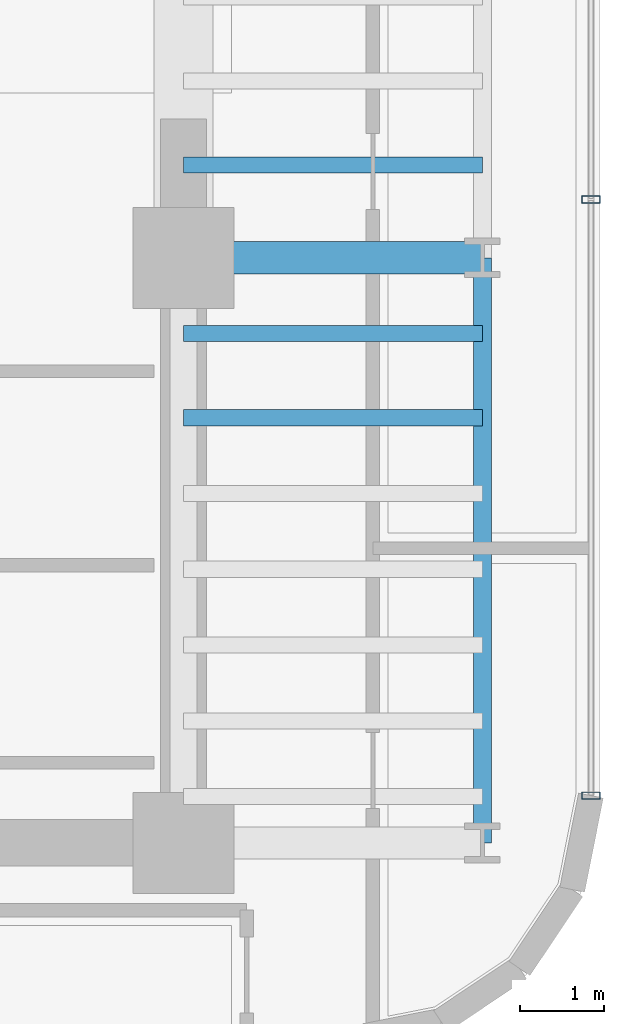
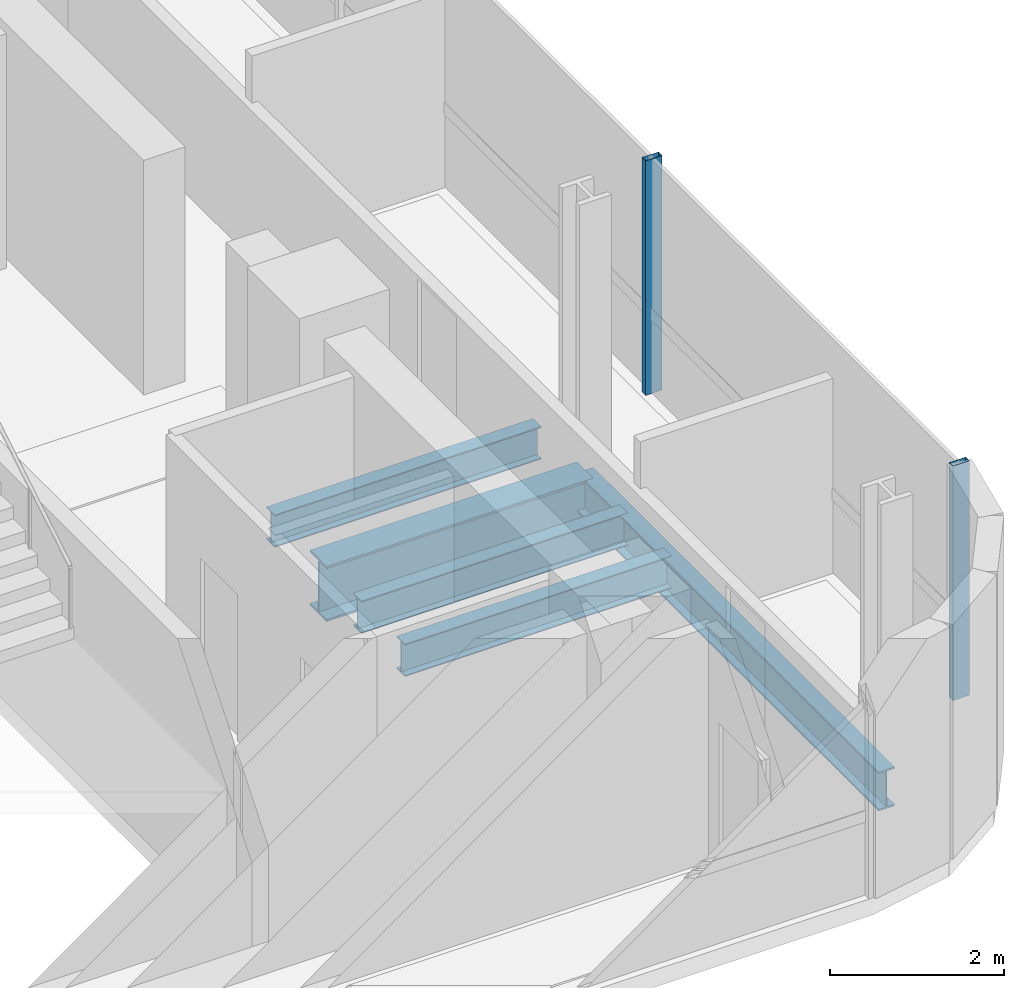
# One storey, part 14 of 35: 5 beams, 2 members, 1 element without a shape of its own.
"""IFC4 building model written with IfcOpenShell, lengths in metres."""

from ifc_helpers import new_model, si_unit, direction, frame, origin, origin_2d, place, context, subcontext, project, spatial, hollow_rectangle, i_section, extrude, source, transform, mapped, material, material_profile, profile_set, type_object, element, aggregate, save


model = new_model("IFC4")

# Units and contexts
model_context = context("Model", 3, precision=1e-05, world=origin(), true_north=direction((0.0, 1.0)))
body_context = subcontext(model_context, "Body", "Model", "MODEL_VIEW")
ifc_project = project(units=[si_unit("LENGTHUNIT", "METRE"), si_unit("AREAUNIT", "SQUARE_METRE"), si_unit("VOLUMEUNIT", "CUBIC_METRE"), si_unit("PLANEANGLEUNIT", "RADIAN"), si_unit("MASSUNIT", "GRAM", prefix="KILO")], contexts=[model_context])

# Site, building, storey
site_placement = place(None, origin())
site = spatial("IfcSite", under=ifc_project, at=site_placement, CompositionType="ELEMENT")
building_placement = place(site_placement, origin())
building = spatial("IfcBuilding", under=site, at=building_placement, Name="Valdorenza Pilgrim Sanctuary Tower", CompositionType="ELEMENT")
storey_placement = place(building_placement, frame((0.0, 0.0, 168.60009765625)))
storey = spatial("IfcBuildingStorey", under=building, at=storey_placement, Name="L43", CompositionType="ELEMENT", Elevation=168.60009765625)

# Beams
ifc_material_1 = material(Name="Steel ASTM A992 Grade 50", Category="steel")
ifc_material_profile_1 = material_profile(ifc_material_1, i_section(OverallWidth=0.214111328125, OverallDepth=0.549072265625, WebThickness=0.0146484375, FlangeThickness=0.023681640625, at=origin_2d()), Name="W21X93")
ifc_profile_set_1 = profile_set([ifc_material_profile_1], Name="Steel ASTM A992 Grade 50")
beam_type_1 = type_object("IfcBeamType", Name="STR-BM-SPN-W21A", PredefinedType="SPANDREL", material=ifc_profile_set_1)
shared_shape_1 = source(origin(), body_context, "Body", "SweptSolid", [
    extrude(i_section(OverallWidth=0.214111328125, OverallDepth=0.549072265625, WebThickness=0.0146484375, FlangeThickness=0.023681640625, at=origin_2d()), origin(), (0.0, 0.0, 1.0), 6.949951171875),
])
beam_1_placement = place(storey_placement, frame((28.39990234375, -9.550048828125, -0.5146484375), z_axis=(0.0, 1.0, 0.0), x_axis=(-1.0, 0.0, 0.0)))
element("IfcBeam", 1, at=beam_1_placement, inside=storey, type_object=beam_type_1, Name="L43 Spandrel Beam WB-E-S1M0", PredefinedType="SPANDREL", context=body_context, shape_type="MappedRepresentation", body=[
    mapped(shared_shape_1, transform((0.0, 0.0, 0.0), x_axis=(1.0, 0.0, 0.0), y_axis=(0.0, 1.0, 0.0), z_axis=(0.0, 0.0, 1.0), scale=1.0)),
])
ifc_material_profile_2 = material_profile(ifc_material_1, i_section(OverallWidth=0.382080078125, OverallDepth=0.779052734375, WebThickness=0.01806640625, FlangeThickness=0.030029296875, at=origin_2d()), Name="W30X191")
ifc_profile_set_2 = profile_set([ifc_material_profile_2], Name="Steel ASTM A992 Grade 50")
beam_type_2 = type_object("IfcBeamType", Name="STR-BM-GRD-W30", PredefinedType="BEAM", material=ifc_profile_set_2)
shared_shape_2 = source(origin(), body_context, "Body", "SweptSolid", [
    extrude(i_section(OverallWidth=0.382080078125, OverallDepth=0.779052734375, WebThickness=0.01806640625, FlangeThickness=0.030029296875, at=origin_2d()), origin(), (0.0, 0.0, 1.0), 3.5498046875),
])
beam_2_placement = place(storey_placement, frame((24.85009765625, -2.60009765625, -0.629638671875), z_axis=(1.0, 0.0, 0.0), x_axis=(0.0, 1.0, 0.0)))
element("IfcBeam", 2, at=beam_2_placement, inside=storey, type_object=beam_type_2, Name="L43 Floor Girder WB-XE-M0", PredefinedType="BEAM", context=body_context, shape_type="MappedRepresentation", body=[
    mapped(shared_shape_2, transform((0.0, 0.0, 0.0), x_axis=(1.0, 0.0, 0.0), y_axis=(0.0, 1.0, 0.0), z_axis=(0.0, 0.0, 1.0), scale=1.0)),
])
ifc_material_profile_3 = material_profile(ifc_material_1, i_section(OverallWidth=0.19091796875, OverallDepth=0.45703125, WebThickness=0.009033203125, FlangeThickness=0.014404296875, at=origin_2d()), Name="W18X50")
ifc_profile_set_3 = profile_set([ifc_material_profile_3], Name="Steel ASTM A992 Grade 50")
beam_type_3 = type_object("IfcBeamType", Name="STR-BM-JST-W18B", PredefinedType="JOIST", material=ifc_profile_set_3)
shared_shape_3 = source(origin(), body_context, "Body", "SweptSolid", [
    extrude(i_section(OverallWidth=0.19091796875, OverallDepth=0.45703125, WebThickness=0.009033203125, FlangeThickness=0.014404296875, at=origin_2d()), origin(), (0.0, 0.0, 1.0), 3.5498046875),
])
for number, where, z_axis, x_axis, name in (
    (3, (24.85009765625, -4.5, -0.468505859375), (1.0, 0.0, 0.0), (0.0, 1.0, 0.0), "L43 Composite Floor Joist JST-WB-6"),
    (4, (24.85009765625, -3.5, -0.468505859375), (1.0, 0.0, 0.0), (0.0, 1.0, 0.0), "L43 Composite Floor Joist JST-WB-7"),
    (5, (24.85009765625, -1.5, -0.468505859375), (1.0, 0.0, 0.0), (0.0, 1.0, 0.0), "L43 Composite Floor Joist JST-WB-8"),
):
    element("IfcBeam", number, at=place(storey_placement, frame(where, z_axis=z_axis, x_axis=x_axis)), inside=storey, type_object=beam_type_3, Name=name, PredefinedType="JOIST", context=body_context, shape_type="MappedRepresentation", body=[
        mapped(shared_shape_3, transform((0.0, 0.0, 0.0), x_axis=(1.0, 0.0, 0.0), y_axis=(0.0, 1.0, 0.0), z_axis=(0.0, 0.0, 1.0), scale=1.0)),
    ])

# Curtain wall, members
ifc_material_2 = material(Name="Curtain-wall IGU glazing", Category="glass")
curtain_wall_type = type_object("IfcCurtainWallType", Name="CW-SYS-03", PredefinedType="NOTDEFINED", material=ifc_material_2)
curtain_wall_placement = place(storey_placement, origin())
curtain_wall = element("IfcCurtainWall", 6, at=curtain_wall_placement, inside=storey, type_object=curtain_wall_type, Name="L43 Curtain Wall CW-L43-2-11", PredefinedType="NOTDEFINED")
ifc_material_3 = material(Name="Anodised aluminium AW-6060", Category="aluminium")
ifc_material_profile_4 = material_profile(ifc_material_3, hollow_rectangle(XDim=0.0849609375, YDim=0.219970703125, WallThickness=0.0048828125, at=origin_2d()), Name="ALU-M 220x85x5")
ifc_profile_set_4 = profile_set([ifc_material_profile_4], Name="Anodised aluminium AW-6060")
member_type = type_object("IfcMemberType", Name="CW-MUL-03", PredefinedType="MULLION", material=ifc_profile_set_4)
shared_shape_4 = source(origin(), body_context, "Body", "SweptSolid", [
    extrude(hollow_rectangle(XDim=0.0849609375, YDim=0.219970703125, WallThickness=0.0048828125, at=origin_2d()), origin(), (0.0, 0.0, 1.0), 3.2998046875),
])
member_1_placement = place(storey_placement, frame((29.68994140625, -1.908447265625, 0.0), z_axis=(0.0, 0.0, 1.0), x_axis=(0.0, -1.0, 0.0)))
member_1 = element("IfcMember", 7, at=member_1_placement, type_object=member_type, Name="CW-L43-2-11 Mullion 3", PredefinedType="MULLION", context=body_context, shape_type="MappedRepresentation", body=[
    mapped(shared_shape_4, transform((0.0, 0.0, 0.0), x_axis=(1.0, 0.0, 0.0), y_axis=(0.0, 1.0, 0.0), z_axis=(0.0, 0.0, 1.0), scale=1.0)),
])
member_2_placement = place(storey_placement, frame((29.68994140625, -8.9892578125, 0.0), z_axis=(0.0, 0.0, 1.0), x_axis=(0.0, -1.0, 0.0)))
member_2 = element("IfcMember", 8, at=member_2_placement, type_object=member_type, Name="CW-L43-2-11 Mullion 4", PredefinedType="MULLION", context=body_context, shape_type="MappedRepresentation", body=[
    mapped(shared_shape_4, transform((0.0, 0.0, 0.0), x_axis=(1.0, 0.0, 0.0), y_axis=(0.0, 1.0, 0.0), z_axis=(0.0, 0.0, 1.0), scale=1.0)),
])
aggregate(curtain_wall, [member_1, member_2])

save(model, "model.ifc")
